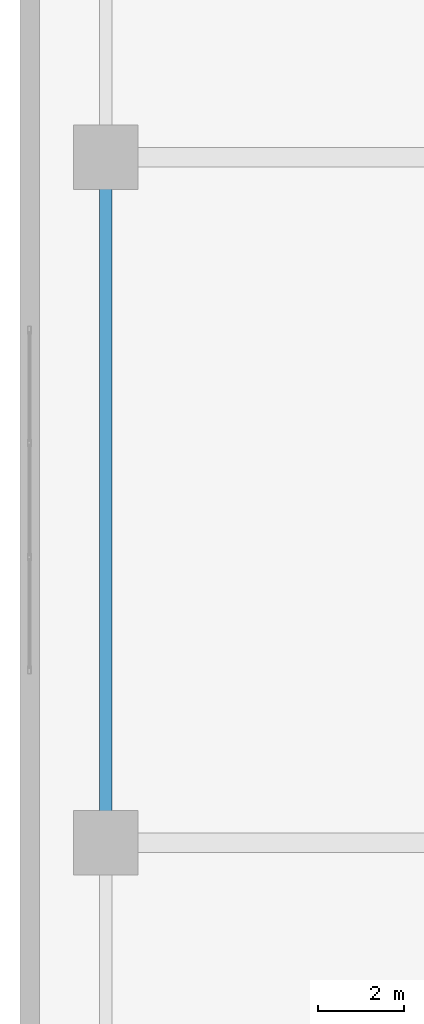
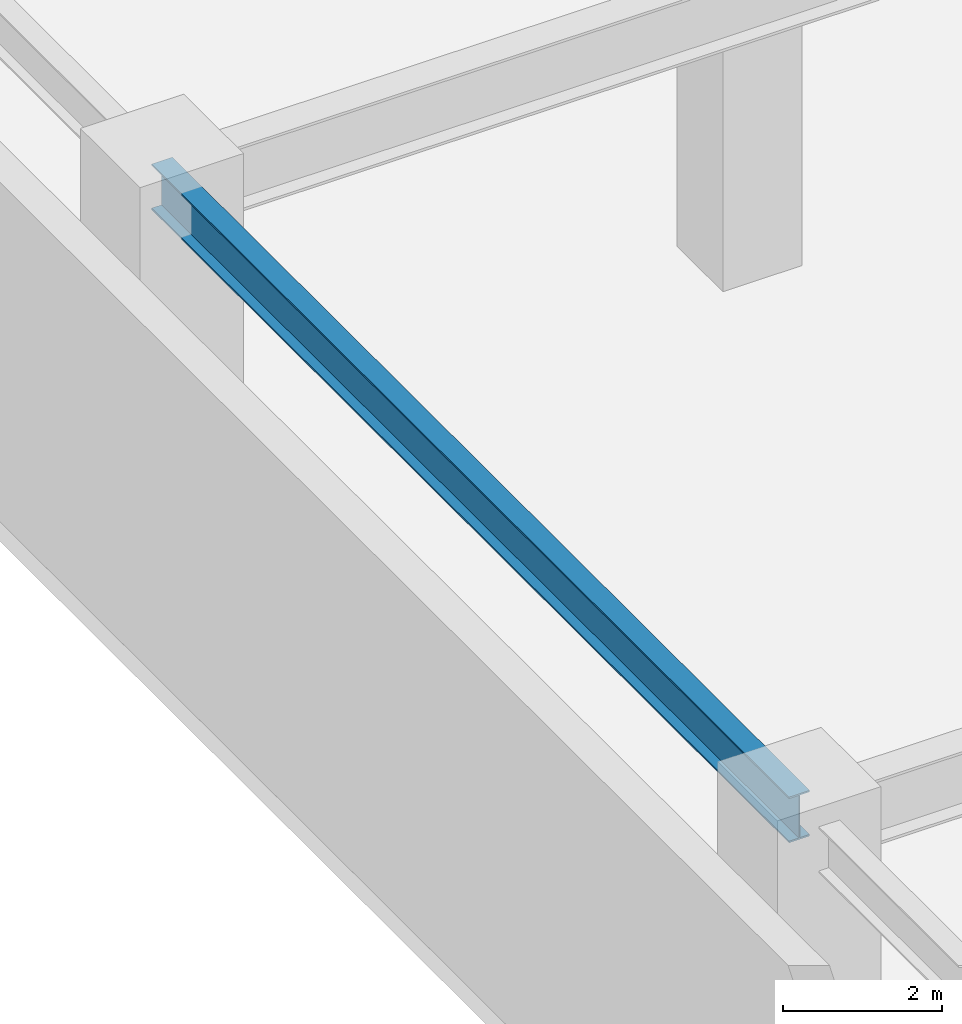
# One storey, part 11 of 34: 1 beam.
"""IFC4 building model written with IfcOpenShell, lengths in metres."""

from ifc_helpers import new_model, si_unit, direction, frame, origin, origin_2d, place, context, subcontext, project, spatial, i_section, extrude, material, material_profile, profile_set, type_object, element, save


model = new_model("IFC4")

# Units and contexts
model_context = context("Model", 3, precision=1e-05, world=origin(), true_north=direction((0.0, 1.0)))
body_context = subcontext(model_context, "Body", "Model", "MODEL_VIEW")
ifc_project = project(units=[si_unit("LENGTHUNIT", "METRE"), si_unit("AREAUNIT", "SQUARE_METRE"), si_unit("VOLUMEUNIT", "CUBIC_METRE"), si_unit("PLANEANGLEUNIT", "RADIAN"), si_unit("MASSUNIT", "GRAM", prefix="KILO")], contexts=[model_context])

# Site, building, storey
site_placement = place(None, origin())
site = spatial("IfcSite", under=ifc_project, at=site_placement, CompositionType="ELEMENT")
building_placement = place(site_placement, origin())
building = spatial("IfcBuilding", under=site, at=building_placement, Name="Qiaolan Cultural Towers", CompositionType="ELEMENT")
storey_placement = place(building_placement, frame((0.0, 0.0, 16.5)))
storey = spatial("IfcBuildingStorey", under=building, at=storey_placement, Name="L03", CompositionType="ELEMENT", Elevation=16.5)

# Beam
ifc_material = material(Name="Steel Q355B", Category="steel")
ifc_material_profile = material_profile(ifc_material, i_section(OverallWidth=0.300048828125, OverallDepth=0.699951171875, WebThickness=0.012939453125, FlangeThickness=0.02392578125, at=origin_2d()), Name="HN700x300x13x24")
ifc_profile_set = profile_set([ifc_material_profile], Name="Steel Q355B")
beam_type = type_object("IfcBeamType", Name="BM-HN700x300x13x24", PredefinedType="BEAM", material=ifc_profile_set)
beam_placement = place(storey_placement, frame((2.0, 26.0, 4.85009765625), z_axis=(0.0, 1.0, 0.0), x_axis=(-1.0, 0.0, 0.0)))
element("IfcBeam", 1, at=beam_placement, inside=storey, type_object=beam_type, Name="L03 Podium Transverse Beam X=2.0", PredefinedType="BEAM", context=body_context, shape_type="SweptSolid", body=[
    extrude(i_section(OverallWidth=0.300048828125, OverallDepth=0.699951171875, WebThickness=0.012939453125, FlangeThickness=0.02392578125, at=origin_2d()), origin(), (0.0, 0.0, 1.0), 16.0),
])

save(model, "model.ifc")
